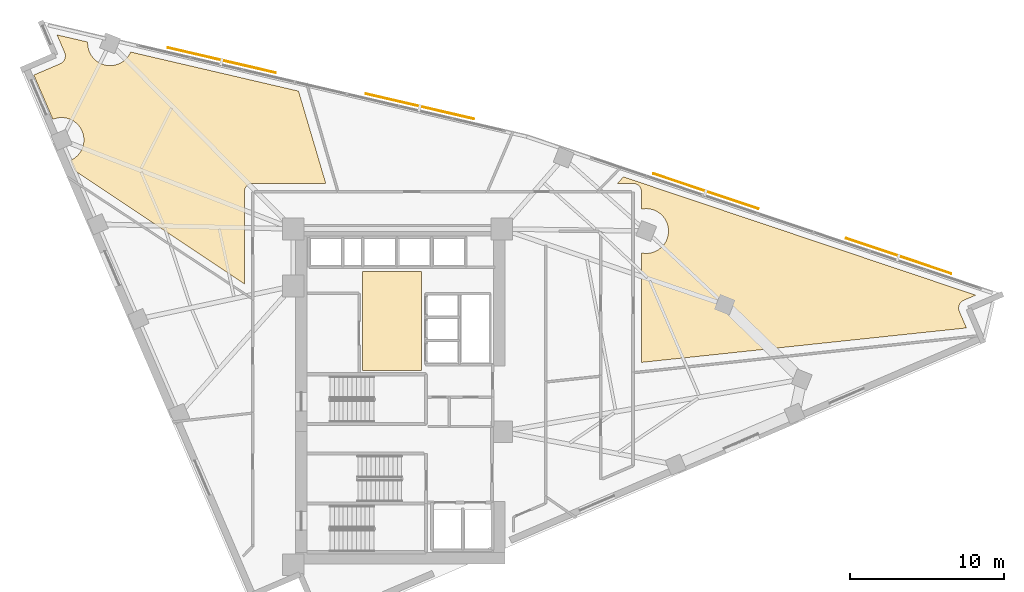
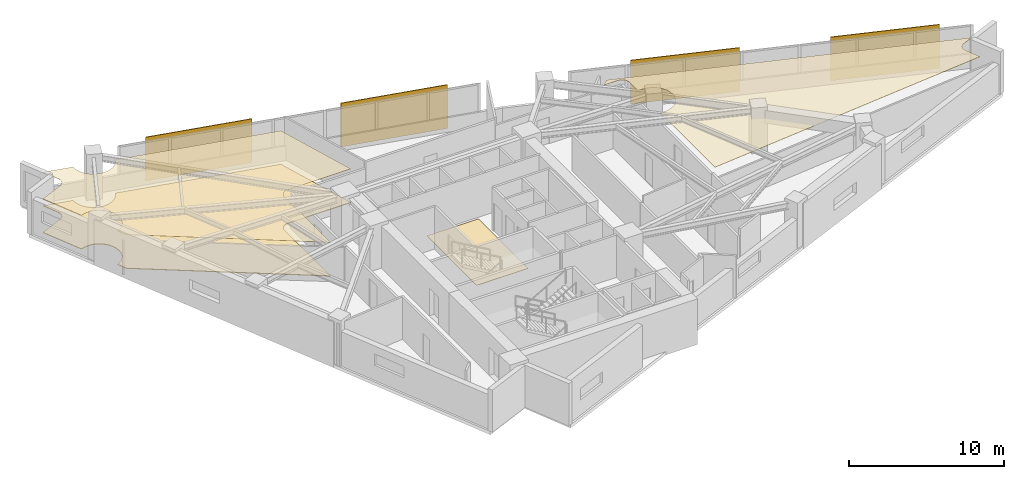
# One storey, part 13 of 13: 4 coverings, 4 shading devices.
"""IFC4 building model written with IfcOpenShell, lengths in metres."""

from ifc_helpers import new_model, si_unit, direction, frame, origin, origin_2d, place, context, subcontext, project, spatial, polyline, rectangle, outline, extrude, material, layer, layer_set, type_object, element, save


model = new_model("IFC4")

# Units and contexts
model_context = context("Model", 3, precision=1e-05, world=origin(), true_north=direction((0.0, 1.0)))
body_context = subcontext(model_context, "Body", "Model", "MODEL_VIEW")
ifc_project = project(units=[si_unit("LENGTHUNIT", "METRE"), si_unit("AREAUNIT", "SQUARE_METRE"), si_unit("VOLUMEUNIT", "CUBIC_METRE"), si_unit("PLANEANGLEUNIT", "RADIAN"), si_unit("MASSUNIT", "GRAM", prefix="KILO")], contexts=[model_context])

# Site, building, storey
site_placement = place(None, origin())
site = spatial("IfcSite", under=ifc_project, at=site_placement, CompositionType="ELEMENT")
building_placement = place(site_placement, origin())
building = spatial("IfcBuilding", under=site, at=building_placement, Name="Narakoshi Arena Tower", CompositionType="ELEMENT")
storey_placement = place(building_placement, frame((0.0, 0.0, 171.89990234375)))
storey = spatial("IfcBuildingStorey", under=building, at=storey_placement, Name="L46", CompositionType="ELEMENT", Elevation=171.89990234375)

# Coverings
ifc_material_1 = material(Name="Acoustic mineral-fibre ceiling tile")
ifc_layer_1 = layer(ifc_material_1, 0.02001953125)
ifc_layer_set_1 = layer_set([ifc_layer_1], Name="Acoustic mineral-fibre ceiling tile")
covering_type_1 = type_object("IfcCoveringType", Name="COV-CLG-AC20", PredefinedType="CEILING", material=ifc_layer_set_1)
covering_1_placement = place(storey_placement, frame((0.0, 0.0, 2.670166015625)))
element("IfcCovering", 1, at=covering_1_placement, inside=storey, type_object=covering_type_1, Name="L46 Suspended Acoustic Ceiling 1", PredefinedType="CEILING", context=body_context, shape_type="SweptSolid", body=[
    extrude(outline(polyline([(56.937255859375, 67.25), (56.983154296875, 67.2783203125), (57.02587890625, 67.31103515625), (57.065673828125, 67.347900390625), (57.101318359375, 67.38818359375), (57.1328125, 67.431884765625), (57.159912109375, 67.478759765625), (57.182373046875, 67.52783203125), (57.199951171875, 67.578857421875), (57.21240234375, 67.63134765625), (57.219482421875, 67.684814453125), (57.2216796875, 67.73876953125), (57.21826171875, 67.792724609375), (57.209716796875, 67.845947265625), (57.19580078125, 67.898193359375), (57.177001953125, 67.94873046875), (56.6845703125, 69.0947265625), (58.675537109375, 68.631103515625), (58.671630859375, 68.55126953125), (58.6787109375, 68.4091796875), (58.69970703125, 68.268310546875), (58.734130859375, 68.13037109375), (58.781982421875, 67.996337890625), (58.843017578125, 67.867919921875), (58.916015625, 67.74560546875), (59.000732421875, 67.63134765625), (59.096435546875, 67.52587890625), (59.201904296875, 67.430419921875), (59.316162109375, 67.345703125), (59.438232421875, 67.2724609375), (59.56689453125, 67.211669921875), (59.70068359375, 67.163818359375), (59.8388671875, 67.129150390625), (59.9794921875, 67.1083984375), (60.12158203125, 67.101318359375), (60.263916015625, 67.1083984375), (60.404541015625, 67.129150390625), (60.54248046875, 67.163818359375), (60.676513671875, 67.211669921875), (60.80517578125, 67.2724609375), (60.92724609375, 67.345703125), (61.04150390625, 67.430419921875), (61.14697265625, 67.52587890625), (61.24267578125, 67.63134765625), (61.327392578125, 67.74560546875), (61.400390625, 67.867919921875), (61.45556640625, 67.984130859375), (72.353759765625, 65.447265625), (74.121826171875, 59.458984375), (69.388916015625, 59.458984375), (69.3349609375, 59.456298828125), (69.281494140625, 59.448486328125), (69.22900390625, 59.435302734375), (69.17822265625, 59.4169921875), (69.12939453125, 59.39404296875), (69.083251953125, 59.3662109375), (69.039794921875, 59.334228515625), (69.0, 59.2978515625), (68.963623046875, 59.2578125), (68.931396484375, 59.214599609375), (68.90380859375, 59.168212890625), (68.880615234375, 59.119384765625), (68.862548828125, 59.068603515625), (68.849365234375, 59.016357421875), (68.84130859375, 58.962890625), (68.8388671875, 58.908935546875), (68.8388671875, 52.931884765625), (57.846435546875, 60.276611328125), (57.556640625, 60.951416015625), (57.6591796875, 60.999755859375), (57.78125, 61.072998046875), (57.8955078125, 61.15771484375), (58.0009765625, 61.253173828125), (58.096435546875, 61.358642578125), (58.18115234375, 61.472900390625), (58.25439453125, 61.594970703125), (58.315185546875, 61.7236328125), (58.36328125, 61.857666015625), (58.397705078125, 61.99560546875), (58.418701171875, 62.136474609375), (58.425537109375, 62.278564453125), (58.418701171875, 62.420654296875), (58.397705078125, 62.561279296875), (58.36328125, 62.699462890625), (58.315185546875, 62.83349609375), (58.25439453125, 62.9619140625), (58.18115234375, 63.083984375), (58.096435546875, 63.198486328125), (58.0009765625, 63.3037109375), (57.8955078125, 63.3994140625), (57.78125, 63.484130859375), (57.6591796875, 63.557373046875), (57.530517578125, 63.6181640625), (57.396484375, 63.666015625), (57.258544921875, 63.70068359375), (57.11767578125, 63.721435546875), (56.9755859375, 63.728515625), (56.83349609375, 63.721435546875), (56.692626953125, 63.70068359375), (56.5546875, 63.666015625), (56.420654296875, 63.6181640625), (56.41259765625, 63.6142578125), (55.1767578125, 66.49072265625), (56.888671875, 67.226318359375), (56.937255859375, 67.25)])), origin(), (0.0, 0.0, 1.0), 0.02001953125),
])
ifc_material_2 = material(Name="Slatted oak acoustic timber baffle", Category="wood")
ifc_layer_2 = layer(ifc_material_2, 0.034912109375)
ifc_layer_set_2 = layer_set([ifc_layer_2], Name="Slatted oak acoustic timber baffle")
covering_type_2 = type_object("IfcCoveringType", Name="COV-CLG-WD35", PredefinedType="CEILING", material=ifc_layer_set_2)
covering_2_placement = place(storey_placement, frame((0.0, 0.0, 2.655029296875)))
element("IfcCovering", 2, at=covering_2_placement, inside=storey, type_object=covering_type_2, Name="L46 Suspended Acoustic Ceiling 2", PredefinedType="CEILING", context=body_context, shape_type="SweptSolid", body=[
    extrude(outline(polyline([(115.52685546875, 51.870361328125), (115.478515625, 51.8466796875), (115.4326171875, 51.818359375), (115.3896484375, 51.78564453125), (115.35009765625, 51.748779296875), (115.314208984375, 51.70849609375), (115.28271484375, 51.664794921875), (115.255615234375, 51.617919921875), (115.233154296875, 51.56884765625), (115.215576171875, 51.517822265625), (115.203125, 51.46533203125), (115.196044921875, 51.411865234375), (115.194091796875, 51.35791015625), (115.197509765625, 51.303955078125), (115.2060546875, 51.250732421875), (115.2197265625, 51.198486328125), (115.23876953125, 51.14794921875), (115.69921875, 50.075927734375), (94.611328125, 47.841064453125), (94.611328125, 54.94970703125), (94.6318359375, 54.944580078125), (94.772705078125, 54.923583984375), (94.914794921875, 54.916748046875), (95.056884765625, 54.923583984375), (95.197509765625, 54.944580078125), (95.335693359375, 54.97900390625), (95.469482421875, 55.027099609375), (95.59814453125, 55.087890625), (95.72021484375, 55.1611328125), (95.834716796875, 55.245849609375), (95.93994140625, 55.34130859375), (96.03564453125, 55.44677734375), (96.120361328125, 55.56103515625), (96.193603515625, 55.68310546875), (96.25439453125, 55.811767578125), (96.30224609375, 55.94580078125), (96.3369140625, 56.083740234375), (96.357666015625, 56.224609375), (96.36474609375, 56.36669921875), (96.357666015625, 56.5087890625), (96.3369140625, 56.649658203125), (96.30224609375, 56.78759765625), (96.25439453125, 56.921630859375), (96.193603515625, 57.05029296875), (96.120361328125, 57.17236328125), (96.03564453125, 57.28662109375), (95.93994140625, 57.39208984375), (95.834716796875, 57.487548828125), (95.72021484375, 57.572265625), (95.59814453125, 57.6455078125), (95.469482421875, 57.706298828125), (95.335693359375, 57.75439453125), (95.197509765625, 57.788818359375), (95.056884765625, 57.809814453125), (94.914794921875, 57.816650390625), (94.772705078125, 57.809814453125), (94.6318359375, 57.788818359375), (94.611328125, 57.78369140625), (94.611328125, 58.908935546875), (94.608642578125, 58.962890625), (94.6005859375, 59.016357421875), (94.587646484375, 59.068603515625), (94.5693359375, 59.119384765625), (94.54638671875, 59.168212890625), (94.5185546875, 59.214599609375), (94.486572265625, 59.2578125), (94.4501953125, 59.2978515625), (94.41015625, 59.334228515625), (94.366943359375, 59.3662109375), (94.320556640625, 59.39404296875), (94.271728515625, 59.4169921875), (94.220947265625, 59.435302734375), (94.168701171875, 59.448486328125), (94.115234375, 59.456298828125), (94.061279296875, 59.458984375), (93.037109375, 59.458984375), (93.443603515625, 59.877685546875), (116.30224609375, 52.20361328125), (115.52685546875, 51.870361328125)])), origin(), (0.0, 0.0, 1.0), 0.03515625),
])
ifc_material_3 = material(Name="Raised steel access floor panel", Category="steel")
ifc_layer_3 = layer(ifc_material_3, 0.044921875)
ifc_layer_set_3 = layer_set([ifc_layer_3], Name="Raised steel access floor panel")
covering_type_3 = type_object("IfcCoveringType", Name="COV-FLR-RF45", PredefinedType="FLOORING", material=ifc_layer_set_3)
covering_3_placement = place(storey_placement, origin())
element("IfcCovering", 3, at=covering_3_placement, inside=storey, type_object=covering_type_3, Name="L46 Raised Steel Access Floor", PredefinedType="FLOORING", context=body_context, shape_type="SweptSolid", body=[
    extrude(outline(polyline([(56.937255859375, 67.25), (56.983154296875, 67.2783203125), (57.02587890625, 67.31103515625), (57.065673828125, 67.347900390625), (57.101318359375, 67.38818359375), (57.1328125, 67.431884765625), (57.159912109375, 67.478759765625), (57.182373046875, 67.52783203125), (57.199951171875, 67.578857421875), (57.21240234375, 67.63134765625), (57.219482421875, 67.684814453125), (57.2216796875, 67.73876953125), (57.21826171875, 67.792724609375), (57.209716796875, 67.845947265625), (57.19580078125, 67.898193359375), (57.177001953125, 67.94873046875), (56.6845703125, 69.0947265625), (58.675537109375, 68.631103515625), (58.671630859375, 68.55126953125), (58.6787109375, 68.4091796875), (58.69970703125, 68.268310546875), (58.734130859375, 68.13037109375), (58.781982421875, 67.996337890625), (58.843017578125, 67.867919921875), (58.916015625, 67.74560546875), (59.000732421875, 67.63134765625), (59.096435546875, 67.52587890625), (59.201904296875, 67.430419921875), (59.316162109375, 67.345703125), (59.438232421875, 67.2724609375), (59.56689453125, 67.211669921875), (59.70068359375, 67.163818359375), (59.8388671875, 67.129150390625), (59.9794921875, 67.1083984375), (60.12158203125, 67.101318359375), (60.263916015625, 67.1083984375), (60.404541015625, 67.129150390625), (60.54248046875, 67.163818359375), (60.676513671875, 67.211669921875), (60.80517578125, 67.2724609375), (60.92724609375, 67.345703125), (61.04150390625, 67.430419921875), (61.14697265625, 67.52587890625), (61.24267578125, 67.63134765625), (61.327392578125, 67.74560546875), (61.400390625, 67.867919921875), (61.45556640625, 67.984130859375), (72.353759765625, 65.447265625), (74.121826171875, 59.458984375), (69.388916015625, 59.458984375), (69.3349609375, 59.456298828125), (69.281494140625, 59.448486328125), (69.22900390625, 59.435302734375), (69.17822265625, 59.4169921875), (69.12939453125, 59.39404296875), (69.083251953125, 59.3662109375), (69.039794921875, 59.334228515625), (69.0, 59.2978515625), (68.963623046875, 59.2578125), (68.931396484375, 59.214599609375), (68.90380859375, 59.168212890625), (68.880615234375, 59.119384765625), (68.862548828125, 59.068603515625), (68.849365234375, 59.016357421875), (68.84130859375, 58.962890625), (68.8388671875, 58.908935546875), (68.8388671875, 52.931884765625), (57.846435546875, 60.276611328125), (57.556640625, 60.951416015625), (57.6591796875, 60.999755859375), (57.78125, 61.072998046875), (57.8955078125, 61.15771484375), (58.0009765625, 61.253173828125), (58.096435546875, 61.358642578125), (58.18115234375, 61.472900390625), (58.25439453125, 61.594970703125), (58.315185546875, 61.7236328125), (58.36328125, 61.857666015625), (58.397705078125, 61.99560546875), (58.418701171875, 62.136474609375), (58.425537109375, 62.278564453125), (58.418701171875, 62.420654296875), (58.397705078125, 62.561279296875), (58.36328125, 62.699462890625), (58.315185546875, 62.83349609375), (58.25439453125, 62.9619140625), (58.18115234375, 63.083984375), (58.096435546875, 63.198486328125), (58.0009765625, 63.3037109375), (57.8955078125, 63.3994140625), (57.78125, 63.484130859375), (57.6591796875, 63.557373046875), (57.530517578125, 63.6181640625), (57.396484375, 63.666015625), (57.258544921875, 63.70068359375), (57.11767578125, 63.721435546875), (56.9755859375, 63.728515625), (56.83349609375, 63.721435546875), (56.692626953125, 63.70068359375), (56.5546875, 63.666015625), (56.420654296875, 63.6181640625), (56.41259765625, 63.6142578125), (55.1767578125, 66.49072265625), (56.888671875, 67.226318359375), (56.937255859375, 67.25)])), origin(), (0.0, 0.0, 1.0), 0.045166015625),
])
ifc_material_4 = material(Name="Honed granite stone paving", Category="masonry")
ifc_layer_4 = layer(ifc_material_4, 0.030029296875)
ifc_layer_set_4 = layer_set([ifc_layer_4], Name="Honed granite stone paving")
covering_type_4 = type_object("IfcCoveringType", Name="COV-FLR-ST30", PredefinedType="FLOORING", material=ifc_layer_set_4)
covering_4_placement = place(storey_placement, origin())
element("IfcCovering", 4, at=covering_4_placement, inside=storey, type_object=covering_type_4, Name="L46 Lift Lobby Granite Flooring", PredefinedType="FLOORING", context=body_context, shape_type="SweptSolid", body=[
    extrude(outline(polyline([(76.5, 47.300048828125), (80.35009765625, 47.300048828125), (80.35009765625, 53.75), (76.5, 53.75), (76.5, 47.300048828125)])), origin(), (0.0, 0.0, 1.0), 0.030029296875),
])

# Shading devices
ifc_material_5 = material(Name="Perforated bronze ceramic-metal composite")
ifc_layer_5 = layer(ifc_material_5, 0.06005859375)
ifc_layer_set_5 = layer_set([ifc_layer_5], Name="Perforated bronze ceramic-metal composite")
shading_device_type = type_object("IfcShadingDeviceType", Name="SHD-SCR-BRZ2", PredefinedType="USERDEFINED", material=ifc_layer_set_5)
for number, where, z_axis, x_axis, name in (
    (5, (111.30126953125, 54.747314453125, 0.0), (0.0, 0.0, 1.0), (-0.948001964735, 0.318264473134, 0.0), "L46 Perforated Bronze Solar Screen 1-1"),
    (6, (98.78759765625, 58.948486328125, 0.0), (0.0, 0.0, 1.0), (-0.948001964735, 0.318264473134, 0.0), "L46 Perforated Bronze Solar Screen 1-2"),
    (7, (80.23193359375, 64.455078125, 0.0), (0.0, 0.0, 1.0), (-0.973960141659, 0.226719303234, 0.0), "L46 Perforated Bronze Solar Screen 2-1"),
    (8, (67.37548828125, 67.447998046875, 0.0), (0.0, 0.0, 1.0), (-0.973960141659, 0.226719303234, 0.0), "L46 Perforated Bronze Solar Screen 2-2"),
):
    element("IfcShadingDevice", number, at=place(storey_placement, frame(where, z_axis=z_axis, x_axis=x_axis)), inside=storey, type_object=shading_device_type, Name=name, ObjectType="SOLAR SCREEN", PredefinedType="USERDEFINED", context=body_context, shape_type="SweptSolid", body=[
        extrude(rectangle(XDim=7.199951171875, YDim=0.06005859375, at=origin_2d()), origin(), (0.0, 0.0, 1.0), 3.449951171875),
    ])

save(model, "model.ifc")
